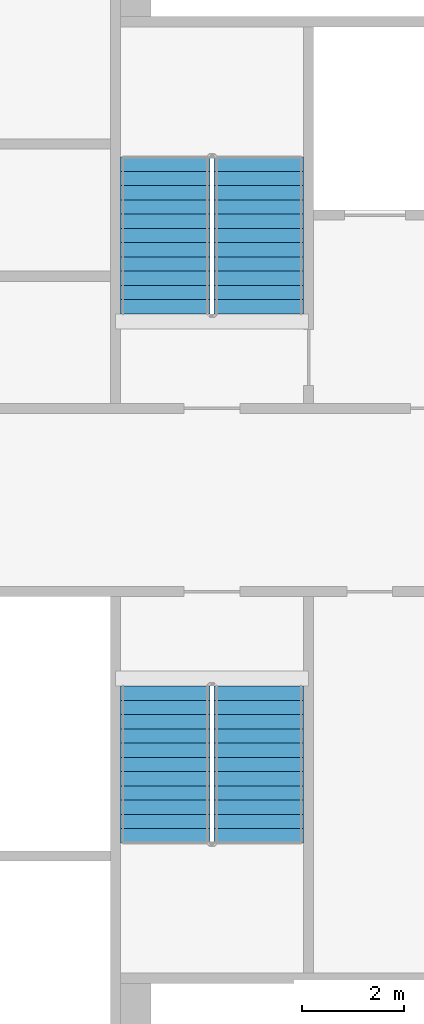
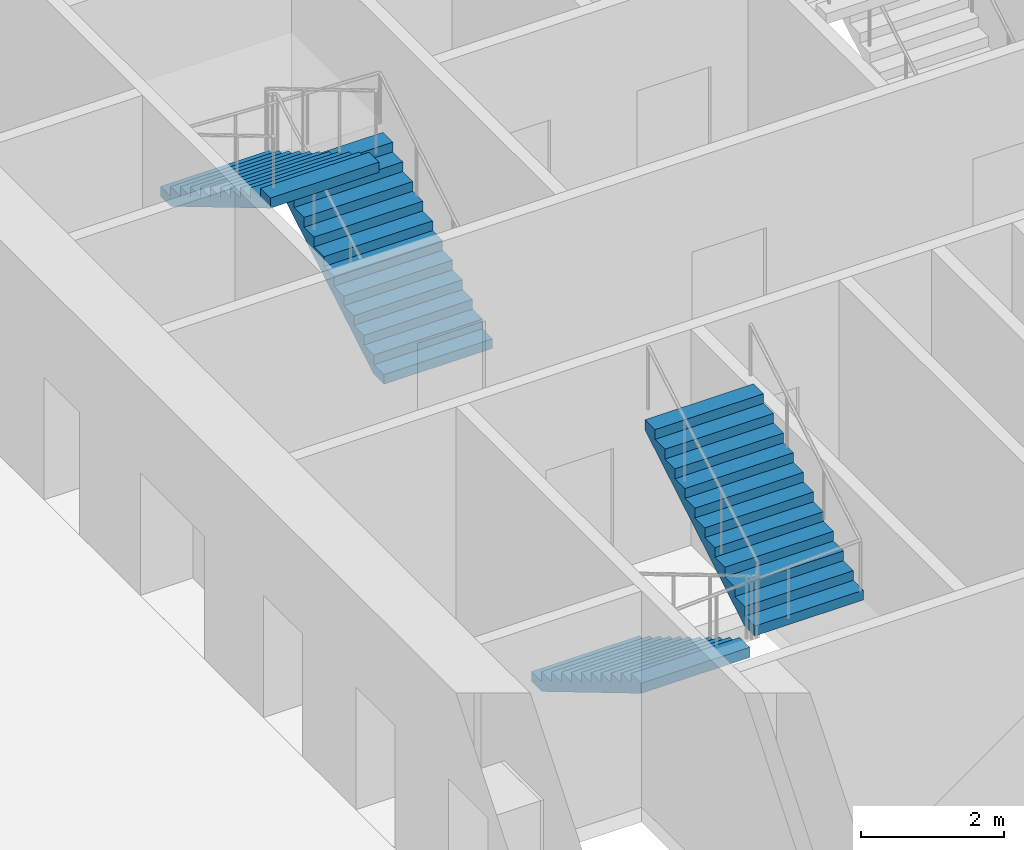
# One storey, part 13 of 15: 4 stair flights, 2 elements without a shape of their own.
"""IFC4 building model written with IfcOpenShell, lengths in metres."""

from ifc_helpers import new_model, si_unit, direction, frame, origin, place, context, subcontext, project, spatial, faceted_brep, material, type_object, element, aggregate, save


model = new_model("IFC4")

# Units and contexts
model_context = context("Model", 3, precision=1e-05, world=origin(), true_north=direction((0.0, 1.0)))
body_context = subcontext(model_context, "Body", "Model", "MODEL_VIEW")
ifc_project = project(units=[si_unit("LENGTHUNIT", "METRE"), si_unit("AREAUNIT", "SQUARE_METRE"), si_unit("VOLUMEUNIT", "CUBIC_METRE"), si_unit("PLANEANGLEUNIT", "RADIAN"), si_unit("MASSUNIT", "GRAM", prefix="KILO")], contexts=[model_context])

# Site, building, storey
site_placement = place(None, origin())
site = spatial("IfcSite", under=ifc_project, at=site_placement, CompositionType="ELEMENT")
building_placement = place(site_placement, origin())
building = spatial("IfcBuilding", under=site, at=building_placement, Name="Tarsis Ring Headquarters", CompositionType="ELEMENT")
storey_placement = place(building_placement, frame((0.0, 0.0, 30.0)))
storey = spatial("IfcBuildingStorey", under=building, at=storey_placement, Name="L05", CompositionType="ELEMENT", Elevation=30.0)

# Stair, stair flights
ifc_material_1 = material(Name="Core stair 1760")
stair_type = type_object("IfcStairType", Name="Core stair 1760", PredefinedType="HALF_TURN_STAIR", material=ifc_material_1)
stair_1_placement = place(storey_placement, origin())
stair_1 = element("IfcStair", 1, at=stair_1_placement, inside=storey, type_object=stair_type, Name="L05 Firefighting stair", PredefinedType="HALF_TURN_STAIR")
ifc_material_2 = material(Name="Concrete C40/50", Category="concrete")
stair_flight_type = type_object("IfcStairFlightType", Name="Core stair flight 1760", PredefinedType="STRAIGHT", material=ifc_material_2)
stair_flight_1_placement = place(storey_placement, frame((-3.580078125, 3.659912109375, 0.0), z_axis=(0.0, 0.0, 1.0), x_axis=(0.0, 1.0, 0.0)))
stair_flight_1 = element("IfcStairFlight", 2, at=stair_flight_1_placement, type_object=stair_flight_type, Name="Stair ST1 flight 1", NumberOfRisers=12, NumberOfTreads=11, PredefinedType="STRAIGHT", RiserHeight=0.166666667, TreadLength=0.28, context=body_context, shape_type="Brep", body=[
    faceted_brep([(0.0, 0.8798828125, 0.0), (0.0, 0.8798828125, 0.166748046875), (0.280029296875, 0.8798828125, 0.166748046875), (0.280029296875, 0.8798828125, 0.333251953125), (0.56005859375, 0.8798828125, 0.333251953125), (0.56005859375, 0.8798828125, 0.5), (0.840087890625, 0.8798828125, 0.5), (0.840087890625, 0.8798828125, 0.666748046875), (1.1201171875, 0.8798828125, 0.666748046875), (1.1201171875, 0.8798828125, 0.833251953125), (1.39990234375, 0.8798828125, 0.833251953125), (1.39990234375, 0.8798828125, 1.0), (1.679931640625, 0.8798828125, 1.0), (1.679931640625, 0.8798828125, 1.166748046875), (1.9599609375, 0.8798828125, 1.166748046875), (1.9599609375, 0.8798828125, 1.333251953125), (2.239990234375, 0.8798828125, 1.333251953125), (2.239990234375, 0.8798828125, 1.5), (2.52001953125, 0.8798828125, 1.5), (2.52001953125, 0.8798828125, 1.666748046875), (2.800048828125, 0.8798828125, 1.666748046875), (2.800048828125, 0.8798828125, 1.833251953125), (3.080078125, 0.8798828125, 1.833251953125), (3.080078125, 0.8798828125, 1.658935546875), (0.29296875, 0.8798828125, 0.0), (0.29296875, -0.8798828125, 0.0), (3.080078125, -0.8798828125, 1.658935546875), (3.080078125, -0.8798828125, 1.833251953125), (2.800048828125, -0.8798828125, 1.833251953125), (2.800048828125, -0.8798828125, 1.666748046875), (2.52001953125, -0.8798828125, 1.666748046875), (2.52001953125, -0.8798828125, 1.5), (2.239990234375, -0.8798828125, 1.5), (2.239990234375, -0.8798828125, 1.333251953125), (1.9599609375, -0.8798828125, 1.333251953125), (1.9599609375, -0.8798828125, 1.166748046875), (1.679931640625, -0.8798828125, 1.166748046875), (1.679931640625, -0.8798828125, 1.0), (1.39990234375, -0.8798828125, 1.0), (1.39990234375, -0.8798828125, 0.833251953125), (1.1201171875, -0.8798828125, 0.833251953125), (1.1201171875, -0.8798828125, 0.666748046875), (0.840087890625, -0.8798828125, 0.666748046875), (0.840087890625, -0.8798828125, 0.5), (0.56005859375, -0.8798828125, 0.5), (0.56005859375, -0.8798828125, 0.333251953125), (0.280029296875, -0.8798828125, 0.333251953125), (0.280029296875, -0.8798828125, 0.166748046875), (0.0, -0.8798828125, 0.166748046875), (0.0, -0.8798828125, 0.0), (0.0, -0.43994140625, 0.166748046875), (0.0, -0.43994140625, 0.0), (0.0, 0.0, 0.166748046875), (0.0, 0.0, 0.0), (0.0, 0.43994140625, 0.166748046875), (0.0, 0.43994140625, 0.0), (0.280029296875, -0.43994140625, 0.166748046875), (0.280029296875, 0.0, 0.166748046875), (0.280029296875, 0.43994140625, 0.166748046875), (0.280029296875, -0.43994140625, 0.333251953125), (0.280029296875, 0.0, 0.333251953125), (0.280029296875, 0.43994140625, 0.333251953125), (0.56005859375, -0.43994140625, 0.333251953125), (0.56005859375, 0.0, 0.333251953125), (0.56005859375, 0.43994140625, 0.333251953125), (0.56005859375, -0.43994140625, 0.5), (0.56005859375, 0.0, 0.5), (0.56005859375, 0.43994140625, 0.5), (0.840087890625, -0.43994140625, 0.5), (0.840087890625, 0.0, 0.5), (0.840087890625, 0.43994140625, 0.5), (0.840087890625, -0.43994140625, 0.666748046875), (0.840087890625, 0.0, 0.666748046875), (0.840087890625, 0.43994140625, 0.666748046875), (1.1201171875, -0.43994140625, 0.666748046875), (1.1201171875, 0.0, 0.666748046875), (1.1201171875, 0.43994140625, 0.666748046875), (1.1201171875, -0.43994140625, 0.833251953125), (1.1201171875, 0.0, 0.833251953125), (1.1201171875, 0.43994140625, 0.833251953125), (1.39990234375, -0.43994140625, 0.833251953125), (1.39990234375, 0.0, 0.833251953125), (1.39990234375, 0.43994140625, 0.833251953125), (1.39990234375, -0.43994140625, 1.0), (1.39990234375, 0.0, 1.0), (1.39990234375, 0.43994140625, 1.0), (1.679931640625, -0.43994140625, 1.0), (1.679931640625, 0.0, 1.0), (1.679931640625, 0.43994140625, 1.0), (1.679931640625, -0.43994140625, 1.166748046875), (1.679931640625, 0.0, 1.166748046875), (1.679931640625, 0.43994140625, 1.166748046875), (1.9599609375, -0.43994140625, 1.166748046875), (1.9599609375, 0.0, 1.166748046875), (1.9599609375, 0.43994140625, 1.166748046875), (1.9599609375, -0.43994140625, 1.333251953125), (1.9599609375, 0.0, 1.333251953125), (1.9599609375, 0.43994140625, 1.333251953125), (2.239990234375, -0.43994140625, 1.333251953125), (2.239990234375, 0.0, 1.333251953125), (2.239990234375, 0.43994140625, 1.333251953125), (2.239990234375, -0.43994140625, 1.5), (2.239990234375, 0.0, 1.5), (2.239990234375, 0.43994140625, 1.5), (2.52001953125, -0.43994140625, 1.5), (2.52001953125, 0.0, 1.5), (2.52001953125, 0.43994140625, 1.5), (2.52001953125, -0.43994140625, 1.666748046875), (2.52001953125, 0.0, 1.666748046875), (2.52001953125, 0.43994140625, 1.666748046875), (2.800048828125, -0.43994140625, 1.666748046875), (2.800048828125, 0.0, 1.666748046875), (2.800048828125, 0.43994140625, 1.666748046875), (2.800048828125, -0.43994140625, 1.833251953125), (2.800048828125, 0.0, 1.833251953125), (2.800048828125, 0.43994140625, 1.833251953125), (3.080078125, -0.43994140625, 1.833251953125), (3.080078125, 0.0, 1.833251953125), (3.080078125, 0.43994140625, 1.833251953125), (3.080078125, -0.43994140625, 1.658935546875), (3.080078125, 0.0, 1.658935546875), (3.080078125, 0.43994140625, 1.658935546875), (0.29296875, -0.43994140625, 0.0), (0.29296875, 0.0, 0.0), (0.29296875, 0.43994140625, 0.0)], [[[0, 1, 2, 3, 4, 5, 6, 7, 8, 9, 10, 11, 12, 13, 14, 15, 16, 17, 18, 19, 20, 21, 22, 23, 24]], [[25, 26, 27, 28, 29, 30, 31, 32, 33, 34, 35, 36, 37, 38, 39, 40, 41, 42, 43, 44, 45, 46, 47, 48, 49]], [[49, 48, 50, 51]], [[51, 50, 52, 53]], [[53, 52, 54, 55]], [[55, 54, 1, 0]], [[48, 47, 56, 50]], [[50, 56, 57, 52]], [[52, 57, 58, 54]], [[54, 58, 2, 1]], [[47, 46, 59, 56]], [[56, 59, 60, 57]], [[57, 60, 61, 58]], [[58, 61, 3, 2]], [[46, 45, 62, 59]], [[59, 62, 63, 60]], [[60, 63, 64, 61]], [[61, 64, 4, 3]], [[45, 44, 65, 62]], [[62, 65, 66, 63]], [[63, 66, 67, 64]], [[64, 67, 5, 4]], [[44, 43, 68, 65]], [[65, 68, 69, 66]], [[66, 69, 70, 67]], [[67, 70, 6, 5]], [[43, 42, 71, 68]], [[68, 71, 72, 69]], [[69, 72, 73, 70]], [[70, 73, 7, 6]], [[42, 41, 74, 71]], [[71, 74, 75, 72]], [[72, 75, 76, 73]], [[73, 76, 8, 7]], [[41, 40, 77, 74]], [[74, 77, 78, 75]], [[75, 78, 79, 76]], [[76, 79, 9, 8]], [[40, 39, 80, 77]], [[77, 80, 81, 78]], [[78, 81, 82, 79]], [[79, 82, 10, 9]], [[39, 38, 83, 80]], [[80, 83, 84, 81]], [[81, 84, 85, 82]], [[82, 85, 11, 10]], [[38, 37, 86, 83]], [[83, 86, 87, 84]], [[84, 87, 88, 85]], [[85, 88, 12, 11]], [[37, 36, 89, 86]], [[86, 89, 90, 87]], [[87, 90, 91, 88]], [[88, 91, 13, 12]], [[36, 35, 92, 89]], [[89, 92, 93, 90]], [[90, 93, 94, 91]], [[91, 94, 14, 13]], [[35, 34, 95, 92]], [[92, 95, 96, 93]], [[93, 96, 97, 94]], [[94, 97, 15, 14]], [[34, 33, 98, 95]], [[95, 98, 99, 96]], [[96, 99, 100, 97]], [[97, 100, 16, 15]], [[33, 32, 101, 98]], [[98, 101, 102, 99]], [[99, 102, 103, 100]], [[100, 103, 17, 16]], [[32, 31, 104, 101]], [[101, 104, 105, 102]], [[102, 105, 106, 103]], [[103, 106, 18, 17]], [[31, 30, 107, 104]], [[104, 107, 108, 105]], [[105, 108, 109, 106]], [[106, 109, 19, 18]], [[30, 29, 110, 107]], [[107, 110, 111, 108]], [[108, 111, 112, 109]], [[109, 112, 20, 19]], [[29, 28, 113, 110]], [[110, 113, 114, 111]], [[111, 114, 115, 112]], [[112, 115, 21, 20]], [[28, 27, 116, 113]], [[113, 116, 117, 114]], [[114, 117, 118, 115]], [[115, 118, 22, 21]], [[27, 26, 119, 116]], [[116, 119, 120, 117]], [[117, 120, 121, 118]], [[118, 121, 23, 22]], [[26, 25, 122, 119]], [[119, 122, 123, 120]], [[120, 123, 124, 121]], [[121, 124, 24, 23]], [[25, 49, 51, 122]], [[122, 51, 53, 123]], [[123, 53, 55, 124]], [[124, 55, 0, 24]]]),
])
stair_flight_2_placement = place(storey_placement, frame((-5.419921875, 6.739990234375, 2.0), z_axis=(0.0, 0.0, 1.0), x_axis=(0.0, -1.0, 0.0)))
stair_flight_2 = element("IfcStairFlight", 3, at=stair_flight_2_placement, type_object=stair_flight_type, Name="Stair ST1 flight 2", NumberOfRisers=12, NumberOfTreads=11, PredefinedType="STRAIGHT", RiserHeight=0.166666667, TreadLength=0.28, context=body_context, shape_type="Brep", body=[
    faceted_brep([(0.0, 0.8798828125, 0.0), (0.0, 0.8798828125, 0.166748046875), (0.280029296875, 0.8798828125, 0.166748046875), (0.280029296875, 0.8798828125, 0.333251953125), (0.56005859375, 0.8798828125, 0.333251953125), (0.56005859375, 0.8798828125, 0.5), (0.840087890625, 0.8798828125, 0.5), (0.840087890625, 0.8798828125, 0.666748046875), (1.1201171875, 0.8798828125, 0.666748046875), (1.1201171875, 0.8798828125, 0.833251953125), (1.39990234375, 0.8798828125, 0.833251953125), (1.39990234375, 0.8798828125, 1.0), (1.679931640625, 0.8798828125, 1.0), (1.679931640625, 0.8798828125, 1.166748046875), (1.9599609375, 0.8798828125, 1.166748046875), (1.9599609375, 0.8798828125, 1.333251953125), (2.239990234375, 0.8798828125, 1.333251953125), (2.239990234375, 0.8798828125, 1.5), (2.52001953125, 0.8798828125, 1.5), (2.52001953125, 0.8798828125, 1.666748046875), (2.800048828125, 0.8798828125, 1.666748046875), (2.800048828125, 0.8798828125, 1.833251953125), (3.080078125, 0.8798828125, 1.833251953125), (3.080078125, 0.8798828125, 1.658935546875), (0.29296875, 0.8798828125, 0.0), (0.29296875, -0.8798828125, 0.0), (3.080078125, -0.8798828125, 1.658935546875), (3.080078125, -0.8798828125, 1.833251953125), (2.800048828125, -0.8798828125, 1.833251953125), (2.800048828125, -0.8798828125, 1.666748046875), (2.52001953125, -0.8798828125, 1.666748046875), (2.52001953125, -0.8798828125, 1.5), (2.239990234375, -0.8798828125, 1.5), (2.239990234375, -0.8798828125, 1.333251953125), (1.9599609375, -0.8798828125, 1.333251953125), (1.9599609375, -0.8798828125, 1.166748046875), (1.679931640625, -0.8798828125, 1.166748046875), (1.679931640625, -0.8798828125, 1.0), (1.39990234375, -0.8798828125, 1.0), (1.39990234375, -0.8798828125, 0.833251953125), (1.1201171875, -0.8798828125, 0.833251953125), (1.1201171875, -0.8798828125, 0.666748046875), (0.840087890625, -0.8798828125, 0.666748046875), (0.840087890625, -0.8798828125, 0.5), (0.56005859375, -0.8798828125, 0.5), (0.56005859375, -0.8798828125, 0.333251953125), (0.280029296875, -0.8798828125, 0.333251953125), (0.280029296875, -0.8798828125, 0.166748046875), (0.0, -0.8798828125, 0.166748046875), (0.0, -0.8798828125, 0.0), (0.0, -0.43994140625, 0.166748046875), (0.0, -0.43994140625, 0.0), (0.0, 0.0, 0.166748046875), (0.0, 0.0, 0.0), (0.0, 0.43994140625, 0.166748046875), (0.0, 0.43994140625, 0.0), (0.280029296875, -0.43994140625, 0.166748046875), (0.280029296875, 0.0, 0.166748046875), (0.280029296875, 0.43994140625, 0.166748046875), (0.280029296875, -0.43994140625, 0.333251953125), (0.280029296875, 0.0, 0.333251953125), (0.280029296875, 0.43994140625, 0.333251953125), (0.56005859375, -0.43994140625, 0.333251953125), (0.56005859375, 0.0, 0.333251953125), (0.56005859375, 0.43994140625, 0.333251953125), (0.56005859375, -0.43994140625, 0.5), (0.56005859375, 0.0, 0.5), (0.56005859375, 0.43994140625, 0.5), (0.840087890625, -0.43994140625, 0.5), (0.840087890625, 0.0, 0.5), (0.840087890625, 0.43994140625, 0.5), (0.840087890625, -0.43994140625, 0.666748046875), (0.840087890625, 0.0, 0.666748046875), (0.840087890625, 0.43994140625, 0.666748046875), (1.1201171875, -0.43994140625, 0.666748046875), (1.1201171875, 0.0, 0.666748046875), (1.1201171875, 0.43994140625, 0.666748046875), (1.1201171875, -0.43994140625, 0.833251953125), (1.1201171875, 0.0, 0.833251953125), (1.1201171875, 0.43994140625, 0.833251953125), (1.39990234375, -0.43994140625, 0.833251953125), (1.39990234375, 0.0, 0.833251953125), (1.39990234375, 0.43994140625, 0.833251953125), (1.39990234375, -0.43994140625, 1.0), (1.39990234375, 0.0, 1.0), (1.39990234375, 0.43994140625, 1.0), (1.679931640625, -0.43994140625, 1.0), (1.679931640625, 0.0, 1.0), (1.679931640625, 0.43994140625, 1.0), (1.679931640625, -0.43994140625, 1.166748046875), (1.679931640625, 0.0, 1.166748046875), (1.679931640625, 0.43994140625, 1.166748046875), (1.9599609375, -0.43994140625, 1.166748046875), (1.9599609375, 0.0, 1.166748046875), (1.9599609375, 0.43994140625, 1.166748046875), (1.9599609375, -0.43994140625, 1.333251953125), (1.9599609375, 0.0, 1.333251953125), (1.9599609375, 0.43994140625, 1.333251953125), (2.239990234375, -0.43994140625, 1.333251953125), (2.239990234375, 0.0, 1.333251953125), (2.239990234375, 0.43994140625, 1.333251953125), (2.239990234375, -0.43994140625, 1.5), (2.239990234375, 0.0, 1.5), (2.239990234375, 0.43994140625, 1.5), (2.52001953125, -0.43994140625, 1.5), (2.52001953125, 0.0, 1.5), (2.52001953125, 0.43994140625, 1.5), (2.52001953125, -0.43994140625, 1.666748046875), (2.52001953125, 0.0, 1.666748046875), (2.52001953125, 0.43994140625, 1.666748046875), (2.800048828125, -0.43994140625, 1.666748046875), (2.800048828125, 0.0, 1.666748046875), (2.800048828125, 0.43994140625, 1.666748046875), (2.800048828125, -0.43994140625, 1.833251953125), (2.800048828125, 0.0, 1.833251953125), (2.800048828125, 0.43994140625, 1.833251953125), (3.080078125, -0.43994140625, 1.833251953125), (3.080078125, 0.0, 1.833251953125), (3.080078125, 0.43994140625, 1.833251953125), (3.080078125, -0.43994140625, 1.658935546875), (3.080078125, 0.0, 1.658935546875), (3.080078125, 0.43994140625, 1.658935546875), (0.29296875, -0.43994140625, 0.0), (0.29296875, 0.0, 0.0), (0.29296875, 0.43994140625, 0.0)], [[[0, 1, 2, 3, 4, 5, 6, 7, 8, 9, 10, 11, 12, 13, 14, 15, 16, 17, 18, 19, 20, 21, 22, 23, 24]], [[25, 26, 27, 28, 29, 30, 31, 32, 33, 34, 35, 36, 37, 38, 39, 40, 41, 42, 43, 44, 45, 46, 47, 48, 49]], [[49, 48, 50, 51]], [[51, 50, 52, 53]], [[53, 52, 54, 55]], [[55, 54, 1, 0]], [[48, 47, 56, 50]], [[50, 56, 57, 52]], [[52, 57, 58, 54]], [[54, 58, 2, 1]], [[47, 46, 59, 56]], [[56, 59, 60, 57]], [[57, 60, 61, 58]], [[58, 61, 3, 2]], [[46, 45, 62, 59]], [[59, 62, 63, 60]], [[60, 63, 64, 61]], [[61, 64, 4, 3]], [[45, 44, 65, 62]], [[62, 65, 66, 63]], [[63, 66, 67, 64]], [[64, 67, 5, 4]], [[44, 43, 68, 65]], [[65, 68, 69, 66]], [[66, 69, 70, 67]], [[67, 70, 6, 5]], [[43, 42, 71, 68]], [[68, 71, 72, 69]], [[69, 72, 73, 70]], [[70, 73, 7, 6]], [[42, 41, 74, 71]], [[71, 74, 75, 72]], [[72, 75, 76, 73]], [[73, 76, 8, 7]], [[41, 40, 77, 74]], [[74, 77, 78, 75]], [[75, 78, 79, 76]], [[76, 79, 9, 8]], [[40, 39, 80, 77]], [[77, 80, 81, 78]], [[78, 81, 82, 79]], [[79, 82, 10, 9]], [[39, 38, 83, 80]], [[80, 83, 84, 81]], [[81, 84, 85, 82]], [[82, 85, 11, 10]], [[38, 37, 86, 83]], [[83, 86, 87, 84]], [[84, 87, 88, 85]], [[85, 88, 12, 11]], [[37, 36, 89, 86]], [[86, 89, 90, 87]], [[87, 90, 91, 88]], [[88, 91, 13, 12]], [[36, 35, 92, 89]], [[89, 92, 93, 90]], [[90, 93, 94, 91]], [[91, 94, 14, 13]], [[35, 34, 95, 92]], [[92, 95, 96, 93]], [[93, 96, 97, 94]], [[94, 97, 15, 14]], [[34, 33, 98, 95]], [[95, 98, 99, 96]], [[96, 99, 100, 97]], [[97, 100, 16, 15]], [[33, 32, 101, 98]], [[98, 101, 102, 99]], [[99, 102, 103, 100]], [[100, 103, 17, 16]], [[32, 31, 104, 101]], [[101, 104, 105, 102]], [[102, 105, 106, 103]], [[103, 106, 18, 17]], [[31, 30, 107, 104]], [[104, 107, 108, 105]], [[105, 108, 109, 106]], [[106, 109, 19, 18]], [[30, 29, 110, 107]], [[107, 110, 111, 108]], [[108, 111, 112, 109]], [[109, 112, 20, 19]], [[29, 28, 113, 110]], [[110, 113, 114, 111]], [[111, 114, 115, 112]], [[112, 115, 21, 20]], [[28, 27, 116, 113]], [[113, 116, 117, 114]], [[114, 117, 118, 115]], [[115, 118, 22, 21]], [[27, 26, 119, 116]], [[116, 119, 120, 117]], [[117, 120, 121, 118]], [[118, 121, 23, 22]], [[26, 25, 122, 119]], [[119, 122, 123, 120]], [[120, 123, 124, 121]], [[121, 124, 24, 23]], [[25, 49, 51, 122]], [[122, 51, 53, 123]], [[123, 53, 55, 124]], [[124, 55, 0, 24]]]),
])
aggregate(stair_1, [stair_flight_1, stair_flight_2])

stair_2_placement = place(storey_placement, origin())
stair_2 = element("IfcStair", 4, at=stair_2_placement, inside=storey, type_object=stair_type, Name="L05 Exit stair C", PredefinedType="HALF_TURN_STAIR")
stair_flight_3_placement = place(storey_placement, frame((-5.419921875, -3.659912109375, 0.0), z_axis=(0.0, 0.0, 1.0), x_axis=(0.0, -1.0, 0.0)))
stair_flight_3 = element("IfcStairFlight", 5, at=stair_flight_3_placement, type_object=stair_flight_type, Name="Stair ST3 flight 1", NumberOfRisers=12, NumberOfTreads=11, PredefinedType="STRAIGHT", RiserHeight=0.166666667, TreadLength=0.28, context=body_context, shape_type="Brep", body=[
    faceted_brep([(0.0, 0.8798828125, 0.0), (0.0, 0.8798828125, 0.166748046875), (0.280029296875, 0.8798828125, 0.166748046875), (0.280029296875, 0.8798828125, 0.333251953125), (0.56005859375, 0.8798828125, 0.333251953125), (0.56005859375, 0.8798828125, 0.5), (0.840087890625, 0.8798828125, 0.5), (0.840087890625, 0.8798828125, 0.666748046875), (1.1201171875, 0.8798828125, 0.666748046875), (1.1201171875, 0.8798828125, 0.833251953125), (1.39990234375, 0.8798828125, 0.833251953125), (1.39990234375, 0.8798828125, 1.0), (1.679931640625, 0.8798828125, 1.0), (1.679931640625, 0.8798828125, 1.166748046875), (1.9599609375, 0.8798828125, 1.166748046875), (1.9599609375, 0.8798828125, 1.333251953125), (2.239990234375, 0.8798828125, 1.333251953125), (2.239990234375, 0.8798828125, 1.5), (2.52001953125, 0.8798828125, 1.5), (2.52001953125, 0.8798828125, 1.666748046875), (2.800048828125, 0.8798828125, 1.666748046875), (2.800048828125, 0.8798828125, 1.833251953125), (3.080078125, 0.8798828125, 1.833251953125), (3.080078125, 0.8798828125, 1.658935546875), (0.29296875, 0.8798828125, 0.0), (0.29296875, -0.8798828125, 0.0), (3.080078125, -0.8798828125, 1.658935546875), (3.080078125, -0.8798828125, 1.833251953125), (2.800048828125, -0.8798828125, 1.833251953125), (2.800048828125, -0.8798828125, 1.666748046875), (2.52001953125, -0.8798828125, 1.666748046875), (2.52001953125, -0.8798828125, 1.5), (2.239990234375, -0.8798828125, 1.5), (2.239990234375, -0.8798828125, 1.333251953125), (1.9599609375, -0.8798828125, 1.333251953125), (1.9599609375, -0.8798828125, 1.166748046875), (1.679931640625, -0.8798828125, 1.166748046875), (1.679931640625, -0.8798828125, 1.0), (1.39990234375, -0.8798828125, 1.0), (1.39990234375, -0.8798828125, 0.833251953125), (1.1201171875, -0.8798828125, 0.833251953125), (1.1201171875, -0.8798828125, 0.666748046875), (0.840087890625, -0.8798828125, 0.666748046875), (0.840087890625, -0.8798828125, 0.5), (0.56005859375, -0.8798828125, 0.5), (0.56005859375, -0.8798828125, 0.333251953125), (0.280029296875, -0.8798828125, 0.333251953125), (0.280029296875, -0.8798828125, 0.166748046875), (0.0, -0.8798828125, 0.166748046875), (0.0, -0.8798828125, 0.0), (0.0, -0.43994140625, 0.166748046875), (0.0, -0.43994140625, 0.0), (0.0, 0.0, 0.166748046875), (0.0, 0.0, 0.0), (0.0, 0.43994140625, 0.166748046875), (0.0, 0.43994140625, 0.0), (0.280029296875, -0.43994140625, 0.166748046875), (0.280029296875, 0.0, 0.166748046875), (0.280029296875, 0.43994140625, 0.166748046875), (0.280029296875, -0.43994140625, 0.333251953125), (0.280029296875, 0.0, 0.333251953125), (0.280029296875, 0.43994140625, 0.333251953125), (0.56005859375, -0.43994140625, 0.333251953125), (0.56005859375, 0.0, 0.333251953125), (0.56005859375, 0.43994140625, 0.333251953125), (0.56005859375, -0.43994140625, 0.5), (0.56005859375, 0.0, 0.5), (0.56005859375, 0.43994140625, 0.5), (0.840087890625, -0.43994140625, 0.5), (0.840087890625, 0.0, 0.5), (0.840087890625, 0.43994140625, 0.5), (0.840087890625, -0.43994140625, 0.666748046875), (0.840087890625, 0.0, 0.666748046875), (0.840087890625, 0.43994140625, 0.666748046875), (1.1201171875, -0.43994140625, 0.666748046875), (1.1201171875, 0.0, 0.666748046875), (1.1201171875, 0.43994140625, 0.666748046875), (1.1201171875, -0.43994140625, 0.833251953125), (1.1201171875, 0.0, 0.833251953125), (1.1201171875, 0.43994140625, 0.833251953125), (1.39990234375, -0.43994140625, 0.833251953125), (1.39990234375, 0.0, 0.833251953125), (1.39990234375, 0.43994140625, 0.833251953125), (1.39990234375, -0.43994140625, 1.0), (1.39990234375, 0.0, 1.0), (1.39990234375, 0.43994140625, 1.0), (1.679931640625, -0.43994140625, 1.0), (1.679931640625, 0.0, 1.0), (1.679931640625, 0.43994140625, 1.0), (1.679931640625, -0.43994140625, 1.166748046875), (1.679931640625, 0.0, 1.166748046875), (1.679931640625, 0.43994140625, 1.166748046875), (1.9599609375, -0.43994140625, 1.166748046875), (1.9599609375, 0.0, 1.166748046875), (1.9599609375, 0.43994140625, 1.166748046875), (1.9599609375, -0.43994140625, 1.333251953125), (1.9599609375, 0.0, 1.333251953125), (1.9599609375, 0.43994140625, 1.333251953125), (2.239990234375, -0.43994140625, 1.333251953125), (2.239990234375, 0.0, 1.333251953125), (2.239990234375, 0.43994140625, 1.333251953125), (2.239990234375, -0.43994140625, 1.5), (2.239990234375, 0.0, 1.5), (2.239990234375, 0.43994140625, 1.5), (2.52001953125, -0.43994140625, 1.5), (2.52001953125, 0.0, 1.5), (2.52001953125, 0.43994140625, 1.5), (2.52001953125, -0.43994140625, 1.666748046875), (2.52001953125, 0.0, 1.666748046875), (2.52001953125, 0.43994140625, 1.666748046875), (2.800048828125, -0.43994140625, 1.666748046875), (2.800048828125, 0.0, 1.666748046875), (2.800048828125, 0.43994140625, 1.666748046875), (2.800048828125, -0.43994140625, 1.833251953125), (2.800048828125, 0.0, 1.833251953125), (2.800048828125, 0.43994140625, 1.833251953125), (3.080078125, -0.43994140625, 1.833251953125), (3.080078125, 0.0, 1.833251953125), (3.080078125, 0.43994140625, 1.833251953125), (3.080078125, -0.43994140625, 1.658935546875), (3.080078125, 0.0, 1.658935546875), (3.080078125, 0.43994140625, 1.658935546875), (0.29296875, -0.43994140625, 0.0), (0.29296875, 0.0, 0.0), (0.29296875, 0.43994140625, 0.0)], [[[0, 1, 2, 3, 4, 5, 6, 7, 8, 9, 10, 11, 12, 13, 14, 15, 16, 17, 18, 19, 20, 21, 22, 23, 24]], [[25, 26, 27, 28, 29, 30, 31, 32, 33, 34, 35, 36, 37, 38, 39, 40, 41, 42, 43, 44, 45, 46, 47, 48, 49]], [[49, 48, 50, 51]], [[51, 50, 52, 53]], [[53, 52, 54, 55]], [[55, 54, 1, 0]], [[48, 47, 56, 50]], [[50, 56, 57, 52]], [[52, 57, 58, 54]], [[54, 58, 2, 1]], [[47, 46, 59, 56]], [[56, 59, 60, 57]], [[57, 60, 61, 58]], [[58, 61, 3, 2]], [[46, 45, 62, 59]], [[59, 62, 63, 60]], [[60, 63, 64, 61]], [[61, 64, 4, 3]], [[45, 44, 65, 62]], [[62, 65, 66, 63]], [[63, 66, 67, 64]], [[64, 67, 5, 4]], [[44, 43, 68, 65]], [[65, 68, 69, 66]], [[66, 69, 70, 67]], [[67, 70, 6, 5]], [[43, 42, 71, 68]], [[68, 71, 72, 69]], [[69, 72, 73, 70]], [[70, 73, 7, 6]], [[42, 41, 74, 71]], [[71, 74, 75, 72]], [[72, 75, 76, 73]], [[73, 76, 8, 7]], [[41, 40, 77, 74]], [[74, 77, 78, 75]], [[75, 78, 79, 76]], [[76, 79, 9, 8]], [[40, 39, 80, 77]], [[77, 80, 81, 78]], [[78, 81, 82, 79]], [[79, 82, 10, 9]], [[39, 38, 83, 80]], [[80, 83, 84, 81]], [[81, 84, 85, 82]], [[82, 85, 11, 10]], [[38, 37, 86, 83]], [[83, 86, 87, 84]], [[84, 87, 88, 85]], [[85, 88, 12, 11]], [[37, 36, 89, 86]], [[86, 89, 90, 87]], [[87, 90, 91, 88]], [[88, 91, 13, 12]], [[36, 35, 92, 89]], [[89, 92, 93, 90]], [[90, 93, 94, 91]], [[91, 94, 14, 13]], [[35, 34, 95, 92]], [[92, 95, 96, 93]], [[93, 96, 97, 94]], [[94, 97, 15, 14]], [[34, 33, 98, 95]], [[95, 98, 99, 96]], [[96, 99, 100, 97]], [[97, 100, 16, 15]], [[33, 32, 101, 98]], [[98, 101, 102, 99]], [[99, 102, 103, 100]], [[100, 103, 17, 16]], [[32, 31, 104, 101]], [[101, 104, 105, 102]], [[102, 105, 106, 103]], [[103, 106, 18, 17]], [[31, 30, 107, 104]], [[104, 107, 108, 105]], [[105, 108, 109, 106]], [[106, 109, 19, 18]], [[30, 29, 110, 107]], [[107, 110, 111, 108]], [[108, 111, 112, 109]], [[109, 112, 20, 19]], [[29, 28, 113, 110]], [[110, 113, 114, 111]], [[111, 114, 115, 112]], [[112, 115, 21, 20]], [[28, 27, 116, 113]], [[113, 116, 117, 114]], [[114, 117, 118, 115]], [[115, 118, 22, 21]], [[27, 26, 119, 116]], [[116, 119, 120, 117]], [[117, 120, 121, 118]], [[118, 121, 23, 22]], [[26, 25, 122, 119]], [[119, 122, 123, 120]], [[120, 123, 124, 121]], [[121, 124, 24, 23]], [[25, 49, 51, 122]], [[122, 51, 53, 123]], [[123, 53, 55, 124]], [[124, 55, 0, 24]]]),
])
stair_flight_4_placement = place(storey_placement, frame((-3.580078125, -6.739990234375, 2.0), z_axis=(0.0, 0.0, 1.0), x_axis=(0.0, 1.0, 0.0)))
stair_flight_4 = element("IfcStairFlight", 6, at=stair_flight_4_placement, type_object=stair_flight_type, Name="Stair ST3 flight 2", NumberOfRisers=12, NumberOfTreads=11, PredefinedType="STRAIGHT", RiserHeight=0.166666667, TreadLength=0.28, context=body_context, shape_type="Brep", body=[
    faceted_brep([(0.0, 0.8798828125, 0.0), (0.0, 0.8798828125, 0.166748046875), (0.280029296875, 0.8798828125, 0.166748046875), (0.280029296875, 0.8798828125, 0.333251953125), (0.56005859375, 0.8798828125, 0.333251953125), (0.56005859375, 0.8798828125, 0.5), (0.840087890625, 0.8798828125, 0.5), (0.840087890625, 0.8798828125, 0.666748046875), (1.1201171875, 0.8798828125, 0.666748046875), (1.1201171875, 0.8798828125, 0.833251953125), (1.39990234375, 0.8798828125, 0.833251953125), (1.39990234375, 0.8798828125, 1.0), (1.679931640625, 0.8798828125, 1.0), (1.679931640625, 0.8798828125, 1.166748046875), (1.9599609375, 0.8798828125, 1.166748046875), (1.9599609375, 0.8798828125, 1.333251953125), (2.239990234375, 0.8798828125, 1.333251953125), (2.239990234375, 0.8798828125, 1.5), (2.52001953125, 0.8798828125, 1.5), (2.52001953125, 0.8798828125, 1.666748046875), (2.800048828125, 0.8798828125, 1.666748046875), (2.800048828125, 0.8798828125, 1.833251953125), (3.080078125, 0.8798828125, 1.833251953125), (3.080078125, 0.8798828125, 1.658935546875), (0.29296875, 0.8798828125, 0.0), (0.29296875, -0.8798828125, 0.0), (3.080078125, -0.8798828125, 1.658935546875), (3.080078125, -0.8798828125, 1.833251953125), (2.800048828125, -0.8798828125, 1.833251953125), (2.800048828125, -0.8798828125, 1.666748046875), (2.52001953125, -0.8798828125, 1.666748046875), (2.52001953125, -0.8798828125, 1.5), (2.239990234375, -0.8798828125, 1.5), (2.239990234375, -0.8798828125, 1.333251953125), (1.9599609375, -0.8798828125, 1.333251953125), (1.9599609375, -0.8798828125, 1.166748046875), (1.679931640625, -0.8798828125, 1.166748046875), (1.679931640625, -0.8798828125, 1.0), (1.39990234375, -0.8798828125, 1.0), (1.39990234375, -0.8798828125, 0.833251953125), (1.1201171875, -0.8798828125, 0.833251953125), (1.1201171875, -0.8798828125, 0.666748046875), (0.840087890625, -0.8798828125, 0.666748046875), (0.840087890625, -0.8798828125, 0.5), (0.56005859375, -0.8798828125, 0.5), (0.56005859375, -0.8798828125, 0.333251953125), (0.280029296875, -0.8798828125, 0.333251953125), (0.280029296875, -0.8798828125, 0.166748046875), (0.0, -0.8798828125, 0.166748046875), (0.0, -0.8798828125, 0.0), (0.0, -0.43994140625, 0.166748046875), (0.0, -0.43994140625, 0.0), (0.0, 0.0, 0.166748046875), (0.0, 0.0, 0.0), (0.0, 0.43994140625, 0.166748046875), (0.0, 0.43994140625, 0.0), (0.280029296875, -0.43994140625, 0.166748046875), (0.280029296875, 0.0, 0.166748046875), (0.280029296875, 0.43994140625, 0.166748046875), (0.280029296875, -0.43994140625, 0.333251953125), (0.280029296875, 0.0, 0.333251953125), (0.280029296875, 0.43994140625, 0.333251953125), (0.56005859375, -0.43994140625, 0.333251953125), (0.56005859375, 0.0, 0.333251953125), (0.56005859375, 0.43994140625, 0.333251953125), (0.56005859375, -0.43994140625, 0.5), (0.56005859375, 0.0, 0.5), (0.56005859375, 0.43994140625, 0.5), (0.840087890625, -0.43994140625, 0.5), (0.840087890625, 0.0, 0.5), (0.840087890625, 0.43994140625, 0.5), (0.840087890625, -0.43994140625, 0.666748046875), (0.840087890625, 0.0, 0.666748046875), (0.840087890625, 0.43994140625, 0.666748046875), (1.1201171875, -0.43994140625, 0.666748046875), (1.1201171875, 0.0, 0.666748046875), (1.1201171875, 0.43994140625, 0.666748046875), (1.1201171875, -0.43994140625, 0.833251953125), (1.1201171875, 0.0, 0.833251953125), (1.1201171875, 0.43994140625, 0.833251953125), (1.39990234375, -0.43994140625, 0.833251953125), (1.39990234375, 0.0, 0.833251953125), (1.39990234375, 0.43994140625, 0.833251953125), (1.39990234375, -0.43994140625, 1.0), (1.39990234375, 0.0, 1.0), (1.39990234375, 0.43994140625, 1.0), (1.679931640625, -0.43994140625, 1.0), (1.679931640625, 0.0, 1.0), (1.679931640625, 0.43994140625, 1.0), (1.679931640625, -0.43994140625, 1.166748046875), (1.679931640625, 0.0, 1.166748046875), (1.679931640625, 0.43994140625, 1.166748046875), (1.9599609375, -0.43994140625, 1.166748046875), (1.9599609375, 0.0, 1.166748046875), (1.9599609375, 0.43994140625, 1.166748046875), (1.9599609375, -0.43994140625, 1.333251953125), (1.9599609375, 0.0, 1.333251953125), (1.9599609375, 0.43994140625, 1.333251953125), (2.239990234375, -0.43994140625, 1.333251953125), (2.239990234375, 0.0, 1.333251953125), (2.239990234375, 0.43994140625, 1.333251953125), (2.239990234375, -0.43994140625, 1.5), (2.239990234375, 0.0, 1.5), (2.239990234375, 0.43994140625, 1.5), (2.52001953125, -0.43994140625, 1.5), (2.52001953125, 0.0, 1.5), (2.52001953125, 0.43994140625, 1.5), (2.52001953125, -0.43994140625, 1.666748046875), (2.52001953125, 0.0, 1.666748046875), (2.52001953125, 0.43994140625, 1.666748046875), (2.800048828125, -0.43994140625, 1.666748046875), (2.800048828125, 0.0, 1.666748046875), (2.800048828125, 0.43994140625, 1.666748046875), (2.800048828125, -0.43994140625, 1.833251953125), (2.800048828125, 0.0, 1.833251953125), (2.800048828125, 0.43994140625, 1.833251953125), (3.080078125, -0.43994140625, 1.833251953125), (3.080078125, 0.0, 1.833251953125), (3.080078125, 0.43994140625, 1.833251953125), (3.080078125, -0.43994140625, 1.658935546875), (3.080078125, 0.0, 1.658935546875), (3.080078125, 0.43994140625, 1.658935546875), (0.29296875, -0.43994140625, 0.0), (0.29296875, 0.0, 0.0), (0.29296875, 0.43994140625, 0.0)], [[[0, 1, 2, 3, 4, 5, 6, 7, 8, 9, 10, 11, 12, 13, 14, 15, 16, 17, 18, 19, 20, 21, 22, 23, 24]], [[25, 26, 27, 28, 29, 30, 31, 32, 33, 34, 35, 36, 37, 38, 39, 40, 41, 42, 43, 44, 45, 46, 47, 48, 49]], [[49, 48, 50, 51]], [[51, 50, 52, 53]], [[53, 52, 54, 55]], [[55, 54, 1, 0]], [[48, 47, 56, 50]], [[50, 56, 57, 52]], [[52, 57, 58, 54]], [[54, 58, 2, 1]], [[47, 46, 59, 56]], [[56, 59, 60, 57]], [[57, 60, 61, 58]], [[58, 61, 3, 2]], [[46, 45, 62, 59]], [[59, 62, 63, 60]], [[60, 63, 64, 61]], [[61, 64, 4, 3]], [[45, 44, 65, 62]], [[62, 65, 66, 63]], [[63, 66, 67, 64]], [[64, 67, 5, 4]], [[44, 43, 68, 65]], [[65, 68, 69, 66]], [[66, 69, 70, 67]], [[67, 70, 6, 5]], [[43, 42, 71, 68]], [[68, 71, 72, 69]], [[69, 72, 73, 70]], [[70, 73, 7, 6]], [[42, 41, 74, 71]], [[71, 74, 75, 72]], [[72, 75, 76, 73]], [[73, 76, 8, 7]], [[41, 40, 77, 74]], [[74, 77, 78, 75]], [[75, 78, 79, 76]], [[76, 79, 9, 8]], [[40, 39, 80, 77]], [[77, 80, 81, 78]], [[78, 81, 82, 79]], [[79, 82, 10, 9]], [[39, 38, 83, 80]], [[80, 83, 84, 81]], [[81, 84, 85, 82]], [[82, 85, 11, 10]], [[38, 37, 86, 83]], [[83, 86, 87, 84]], [[84, 87, 88, 85]], [[85, 88, 12, 11]], [[37, 36, 89, 86]], [[86, 89, 90, 87]], [[87, 90, 91, 88]], [[88, 91, 13, 12]], [[36, 35, 92, 89]], [[89, 92, 93, 90]], [[90, 93, 94, 91]], [[91, 94, 14, 13]], [[35, 34, 95, 92]], [[92, 95, 96, 93]], [[93, 96, 97, 94]], [[94, 97, 15, 14]], [[34, 33, 98, 95]], [[95, 98, 99, 96]], [[96, 99, 100, 97]], [[97, 100, 16, 15]], [[33, 32, 101, 98]], [[98, 101, 102, 99]], [[99, 102, 103, 100]], [[100, 103, 17, 16]], [[32, 31, 104, 101]], [[101, 104, 105, 102]], [[102, 105, 106, 103]], [[103, 106, 18, 17]], [[31, 30, 107, 104]], [[104, 107, 108, 105]], [[105, 108, 109, 106]], [[106, 109, 19, 18]], [[30, 29, 110, 107]], [[107, 110, 111, 108]], [[108, 111, 112, 109]], [[109, 112, 20, 19]], [[29, 28, 113, 110]], [[110, 113, 114, 111]], [[111, 114, 115, 112]], [[112, 115, 21, 20]], [[28, 27, 116, 113]], [[113, 116, 117, 114]], [[114, 117, 118, 115]], [[115, 118, 22, 21]], [[27, 26, 119, 116]], [[116, 119, 120, 117]], [[117, 120, 121, 118]], [[118, 121, 23, 22]], [[26, 25, 122, 119]], [[119, 122, 123, 120]], [[120, 123, 124, 121]], [[121, 124, 24, 23]], [[25, 49, 51, 122]], [[122, 51, 53, 123]], [[123, 53, 55, 124]], [[124, 55, 0, 24]]]),
])
aggregate(stair_2, [stair_flight_3, stair_flight_4])

save(model, "model.ifc")
